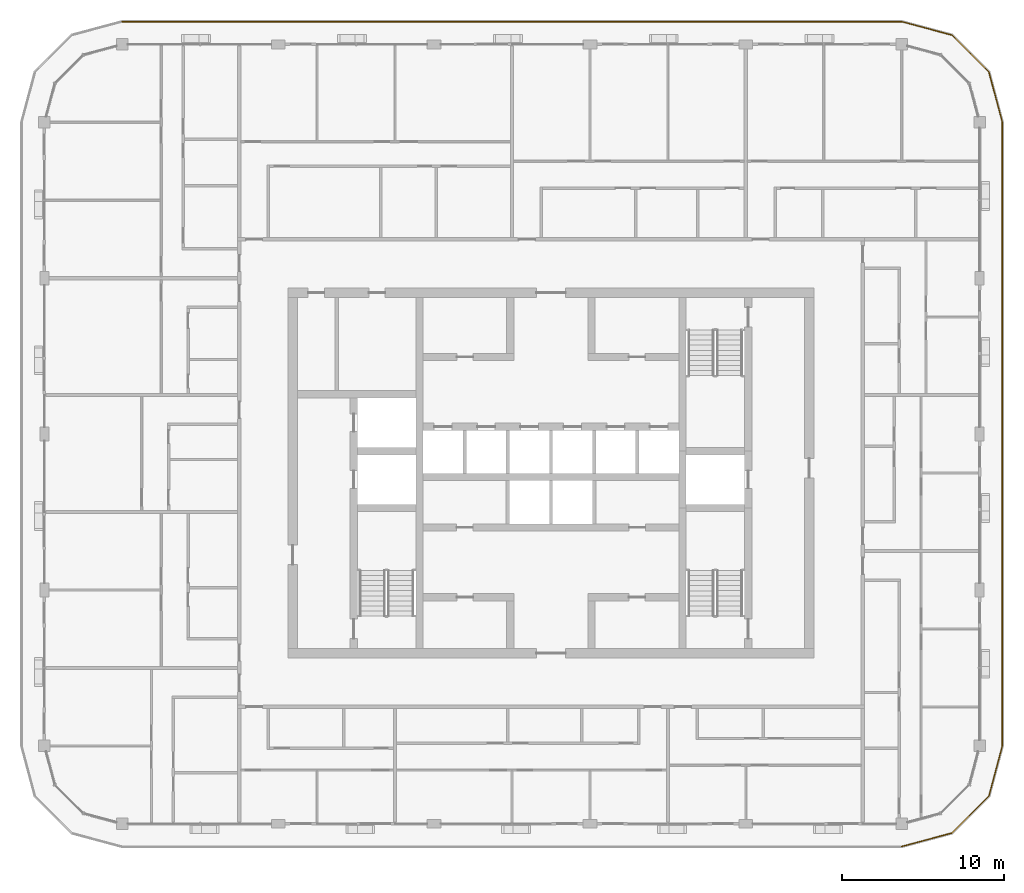
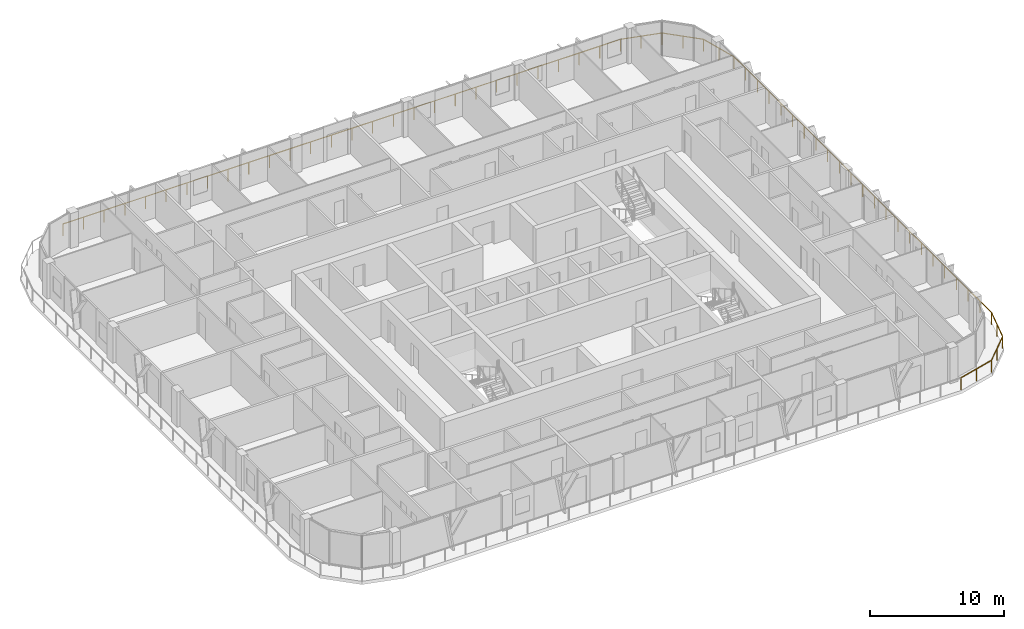
# One storey, part 19 of 21: 1 railing.
"""IFC4 building model written with IfcOpenShell, lengths in metres."""

from ifc_helpers import new_model, si_unit, direction, frame, origin, origin_2d, place, context, subcontext, project, spatial, circle, extrude, material, type_object, element, save


model = new_model("IFC4")

# Units and contexts
model_context = context("Model", 3, precision=1e-05, world=origin(), true_north=direction((0.0, 1.0)))
body_context = subcontext(model_context, "Body", "Model", "MODEL_VIEW")
ifc_project = project(units=[si_unit("LENGTHUNIT", "METRE"), si_unit("AREAUNIT", "SQUARE_METRE"), si_unit("VOLUMEUNIT", "CUBIC_METRE"), si_unit("PLANEANGLEUNIT", "RADIAN"), si_unit("MASSUNIT", "GRAM", prefix="KILO")], contexts=[model_context])

# Site, building, storey
site_placement = place(None, origin())
site = spatial("IfcSite", under=ifc_project, at=site_placement, CompositionType="ELEMENT")
building_placement = place(site_placement, origin())
building = spatial("IfcBuilding", under=site, at=building_placement, Name="Madar Terraces", CompositionType="ELEMENT")
storey_placement = place(building_placement, frame((0.0, 0.0, 252.699951171875)))
storey = spatial("IfcBuildingStorey", under=building, at=storey_placement, Name="L66", CompositionType="ELEMENT", Elevation=252.699951171875)

# Railing
ifc_material = material(Name="Glass, safety glazing, with stainless steel posts", Category="steel")
railing_type = type_object("IfcRailingType", Name="Balcony glass guard 1100", PredefinedType="GUARDRAIL", material=ifc_material)
railing_placement = place(storey_placement, frame((52.800048828125, 3.39990234375, 0.0)))
element("IfcRailing", 1, at=railing_placement, inside=storey, type_object=railing_type, Name="Balcony guard", PredefinedType="GUARDRAIL", context=body_context, shape_type="SweptSolid", body=[
    extrude(circle(Radius=0.02392578125, at=origin_2d()), frame((0.0, 0.0, 1.076171875), z_axis=(0.965909675762, 0.25887931217, 0.0), x_axis=(-0.25887931217, 0.965909675762, 0.0)), (0.0, 0.0, 1.0), 3.209228515625),
    extrude(circle(Radius=0.02392578125, at=origin_2d()), frame((3.099853515625, 0.830810546875, 1.076171875), z_axis=(0.707144815061, 0.707068745266, 0.0), x_axis=(-0.707068745266, 0.707144815061, 0.0)), (0.0, 0.0, 1.0), 3.20947265625),
    extrude(circle(Radius=0.02392578125, at=origin_2d()), frame((5.369384765625, 3.10009765625, 1.076171875), z_axis=(0.258789317819, 0.9659337912, 0.0), x_axis=(-0.9659337912, 0.258789317819, 0.0)), (0.0, 0.0, 1.0), 3.20947265625),
    extrude(circle(Radius=0.02392578125, at=origin_2d()), frame((6.199951171875, 6.2001953125, 1.076171875), z_axis=(0.0, 1.0, 0.0), x_axis=(-1.0, 0.0, 0.0)), (0.0, 0.0, 1.0), 38.39990234375),
    extrude(circle(Radius=0.02392578125, at=origin_2d()), frame((6.199951171875, 44.60009765625, 1.076171875), z_axis=(-0.258789317819, 0.9659337912, 0.0), x_axis=(-0.9659337912, -0.258789317819, 0.0)), (0.0, 0.0, 1.0), 3.20947265625),
    extrude(circle(Radius=0.02392578125, at=origin_2d()), frame((5.369384765625, 47.7001953125, 1.076171875), z_axis=(-0.707144815061, 0.707068745266, 0.0), x_axis=(-0.707068745266, -0.707144815061, 0.0)), (0.0, 0.0, 1.0), 3.20947265625),
    extrude(circle(Radius=0.02392578125, at=origin_2d()), frame((3.099853515625, 49.969482421875, 1.076171875), z_axis=(-0.965928696102, 0.258808334578, 0.0), x_axis=(-0.258808334578, -0.965928696102, 0.0)), (0.0, 0.0, 1.0), 3.209228515625),
    extrude(circle(Radius=0.02392578125, at=origin_2d()), frame((0.0, 50.800048828125, 1.076171875), z_axis=(-1.0, 0.0, 0.0), x_axis=(0.0, -1.0, 0.0)), (0.0, 0.0, 1.0), 48.0),
    extrude(circle(Radius=0.02099609375, at=origin_2d()), origin(), (0.0, 0.0, 1.0), 1.052001953125),
    extrude(circle(Radius=0.02099609375, at=origin_2d()), frame((1.5498046875, 0.41552734375, 0.0)), (0.0, 0.0, 1.0), 1.052001953125),
    extrude(circle(Radius=0.02099609375, at=origin_2d()), frame((3.099853515625, 0.830810546875, 0.0)), (0.0, 0.0, 1.0), 1.052001953125),
    extrude(circle(Radius=0.02099609375, at=origin_2d()), frame((4.234619140625, 1.96533203125, 0.0)), (0.0, 0.0, 1.0), 1.052001953125),
    extrude(circle(Radius=0.02099609375, at=origin_2d()), frame((5.369384765625, 3.10009765625, 0.0)), (0.0, 0.0, 1.0), 1.052001953125),
    extrude(circle(Radius=0.02099609375, at=origin_2d()), frame((5.78466796875, 4.650146484375, 0.0)), (0.0, 0.0, 1.0), 1.052001953125),
    extrude(circle(Radius=0.02099609375, at=origin_2d()), frame((6.199951171875, 6.2001953125, 0.0)), (0.0, 0.0, 1.0), 1.052001953125),
    extrude(circle(Radius=0.02099609375, at=origin_2d()), frame((6.199951171875, 7.945556640625, 0.0)), (0.0, 0.0, 1.0), 1.052001953125),
    extrude(circle(Radius=0.02099609375, at=origin_2d()), frame((6.199951171875, 9.691162109375, 0.0)), (0.0, 0.0, 1.0), 1.052001953125),
    extrude(circle(Radius=0.02099609375, at=origin_2d()), frame((6.199951171875, 11.4365234375, 0.0)), (0.0, 0.0, 1.0), 1.052001953125),
    extrude(circle(Radius=0.02099609375, at=origin_2d()), frame((6.199951171875, 13.181884765625, 0.0)), (0.0, 0.0, 1.0), 1.052001953125),
    extrude(circle(Radius=0.02099609375, at=origin_2d()), frame((6.199951171875, 14.927490234375, 0.0)), (0.0, 0.0, 1.0), 1.052001953125),
    extrude(circle(Radius=0.02099609375, at=origin_2d()), frame((6.199951171875, 16.6728515625, 0.0)), (0.0, 0.0, 1.0), 1.052001953125),
    extrude(circle(Radius=0.02099609375, at=origin_2d()), frame((6.199951171875, 18.41845703125, 0.0)), (0.0, 0.0, 1.0), 1.052001953125),
    extrude(circle(Radius=0.02099609375, at=origin_2d()), frame((6.199951171875, 20.163818359375, 0.0)), (0.0, 0.0, 1.0), 1.052001953125),
    extrude(circle(Radius=0.02099609375, at=origin_2d()), frame((6.199951171875, 21.9091796875, 0.0)), (0.0, 0.0, 1.0), 1.052001953125),
    extrude(circle(Radius=0.02099609375, at=origin_2d()), frame((6.199951171875, 23.65478515625, 0.0)), (0.0, 0.0, 1.0), 1.052001953125),
    extrude(circle(Radius=0.02099609375, at=origin_2d()), frame((6.199951171875, 25.400146484375, 0.0)), (0.0, 0.0, 1.0), 1.052001953125),
    extrude(circle(Radius=0.02099609375, at=origin_2d()), frame((6.199951171875, 27.1455078125, 0.0)), (0.0, 0.0, 1.0), 1.052001953125),
    extrude(circle(Radius=0.02099609375, at=origin_2d()), frame((6.199951171875, 28.89111328125, 0.0)), (0.0, 0.0, 1.0), 1.052001953125),
    extrude(circle(Radius=0.02099609375, at=origin_2d()), frame((6.199951171875, 30.636474609375, 0.0)), (0.0, 0.0, 1.0), 1.052001953125),
    extrude(circle(Radius=0.02099609375, at=origin_2d()), frame((6.199951171875, 32.3818359375, 0.0)), (0.0, 0.0, 1.0), 1.052001953125),
    extrude(circle(Radius=0.02099609375, at=origin_2d()), frame((6.199951171875, 34.12744140625, 0.0)), (0.0, 0.0, 1.0), 1.052001953125),
    extrude(circle(Radius=0.02099609375, at=origin_2d()), frame((6.199951171875, 35.872802734375, 0.0)), (0.0, 0.0, 1.0), 1.052001953125),
    extrude(circle(Radius=0.02099609375, at=origin_2d()), frame((6.199951171875, 37.618408203125, 0.0)), (0.0, 0.0, 1.0), 1.052001953125),
    extrude(circle(Radius=0.02099609375, at=origin_2d()), frame((6.199951171875, 39.36376953125, 0.0)), (0.0, 0.0, 1.0), 1.052001953125),
    extrude(circle(Radius=0.02099609375, at=origin_2d()), frame((6.199951171875, 41.109130859375, 0.0)), (0.0, 0.0, 1.0), 1.052001953125),
    extrude(circle(Radius=0.02099609375, at=origin_2d()), frame((6.199951171875, 42.854736328125, 0.0)), (0.0, 0.0, 1.0), 1.052001953125),
    extrude(circle(Radius=0.02099609375, at=origin_2d()), frame((6.199951171875, 44.60009765625, 0.0)), (0.0, 0.0, 1.0), 1.052001953125),
    extrude(circle(Radius=0.02099609375, at=origin_2d()), frame((5.78466796875, 46.150146484375, 0.0)), (0.0, 0.0, 1.0), 1.052001953125),
    extrude(circle(Radius=0.02099609375, at=origin_2d()), frame((5.369384765625, 47.7001953125, 0.0)), (0.0, 0.0, 1.0), 1.052001953125),
    extrude(circle(Radius=0.02099609375, at=origin_2d()), frame((4.234619140625, 48.8349609375, 0.0)), (0.0, 0.0, 1.0), 1.052001953125),
    extrude(circle(Radius=0.02099609375, at=origin_2d()), frame((3.099853515625, 49.969482421875, 0.0)), (0.0, 0.0, 1.0), 1.052001953125),
    extrude(circle(Radius=0.02099609375, at=origin_2d()), frame((1.5498046875, 50.384765625, 0.0)), (0.0, 0.0, 1.0), 1.052001953125),
    extrude(circle(Radius=0.02099609375, at=origin_2d()), frame((0.0, 50.800048828125, 0.0)), (0.0, 0.0, 1.0), 1.052001953125),
    extrude(circle(Radius=0.02099609375, at=origin_2d()), frame((-1.77783203125, 50.800048828125, 0.0)), (0.0, 0.0, 1.0), 1.052001953125),
    extrude(circle(Radius=0.02099609375, at=origin_2d()), frame((-3.5556640625, 50.800048828125, 0.0)), (0.0, 0.0, 1.0), 1.052001953125),
    extrude(circle(Radius=0.02099609375, at=origin_2d()), frame((-5.333251953125, 50.800048828125, 0.0)), (0.0, 0.0, 1.0), 1.052001953125),
    extrude(circle(Radius=0.02099609375, at=origin_2d()), frame((-7.111083984375, 50.800048828125, 0.0)), (0.0, 0.0, 1.0), 1.052001953125),
    extrude(circle(Radius=0.02099609375, at=origin_2d()), frame((-8.888916015625, 50.800048828125, 0.0)), (0.0, 0.0, 1.0), 1.052001953125),
    extrude(circle(Radius=0.02099609375, at=origin_2d()), frame((-10.666748046875, 50.800048828125, 0.0)), (0.0, 0.0, 1.0), 1.052001953125),
    extrude(circle(Radius=0.02099609375, at=origin_2d()), frame((-12.4443359375, 50.800048828125, 0.0)), (0.0, 0.0, 1.0), 1.052001953125),
    extrude(circle(Radius=0.02099609375, at=origin_2d()), frame((-14.22216796875, 50.800048828125, 0.0)), (0.0, 0.0, 1.0), 1.052001953125),
    extrude(circle(Radius=0.02099609375, at=origin_2d()), frame((-16.0, 50.800048828125, 0.0)), (0.0, 0.0, 1.0), 1.052001953125),
    extrude(circle(Radius=0.02099609375, at=origin_2d()), frame((-17.77783203125, 50.800048828125, 0.0)), (0.0, 0.0, 1.0), 1.052001953125),
    extrude(circle(Radius=0.02099609375, at=origin_2d()), frame((-19.5556640625, 50.800048828125, 0.0)), (0.0, 0.0, 1.0), 1.052001953125),
    extrude(circle(Radius=0.02099609375, at=origin_2d()), frame((-21.333251953125, 50.800048828125, 0.0)), (0.0, 0.0, 1.0), 1.052001953125),
    extrude(circle(Radius=0.02099609375, at=origin_2d()), frame((-23.111083984375, 50.800048828125, 0.0)), (0.0, 0.0, 1.0), 1.052001953125),
    extrude(circle(Radius=0.02099609375, at=origin_2d()), frame((-24.888916015625, 50.800048828125, 0.0)), (0.0, 0.0, 1.0), 1.052001953125),
    extrude(circle(Radius=0.02099609375, at=origin_2d()), frame((-26.666748046875, 50.800048828125, 0.0)), (0.0, 0.0, 1.0), 1.052001953125),
    extrude(circle(Radius=0.02099609375, at=origin_2d()), frame((-28.4443359375, 50.800048828125, 0.0)), (0.0, 0.0, 1.0), 1.052001953125),
    extrude(circle(Radius=0.02099609375, at=origin_2d()), frame((-30.22216796875, 50.800048828125, 0.0)), (0.0, 0.0, 1.0), 1.052001953125),
    extrude(circle(Radius=0.02099609375, at=origin_2d()), frame((-32.0, 50.800048828125, 0.0)), (0.0, 0.0, 1.0), 1.052001953125),
    extrude(circle(Radius=0.02099609375, at=origin_2d()), frame((-33.77783203125, 50.800048828125, 0.0)), (0.0, 0.0, 1.0), 1.052001953125),
    extrude(circle(Radius=0.02099609375, at=origin_2d()), frame((-35.5556640625, 50.800048828125, 0.0)), (0.0, 0.0, 1.0), 1.052001953125),
    extrude(circle(Radius=0.02099609375, at=origin_2d()), frame((-37.333251953125, 50.800048828125, 0.0)), (0.0, 0.0, 1.0), 1.052001953125),
    extrude(circle(Radius=0.02099609375, at=origin_2d()), frame((-39.111083984375, 50.800048828125, 0.0)), (0.0, 0.0, 1.0), 1.052001953125),
    extrude(circle(Radius=0.02099609375, at=origin_2d()), frame((-40.888916015625, 50.800048828125, 0.0)), (0.0, 0.0, 1.0), 1.052001953125),
    extrude(circle(Radius=0.02099609375, at=origin_2d()), frame((-42.666748046875, 50.800048828125, 0.0)), (0.0, 0.0, 1.0), 1.052001953125),
    extrude(circle(Radius=0.02099609375, at=origin_2d()), frame((-44.4443359375, 50.800048828125, 0.0)), (0.0, 0.0, 1.0), 1.052001953125),
    extrude(circle(Radius=0.02099609375, at=origin_2d()), frame((-46.22216796875, 50.800048828125, 0.0)), (0.0, 0.0, 1.0), 1.052001953125),
    extrude(circle(Radius=0.02099609375, at=origin_2d()), frame((-48.0, 50.800048828125, 0.0)), (0.0, 0.0, 1.0), 1.052001953125),
])

save(model, "model.ifc")
